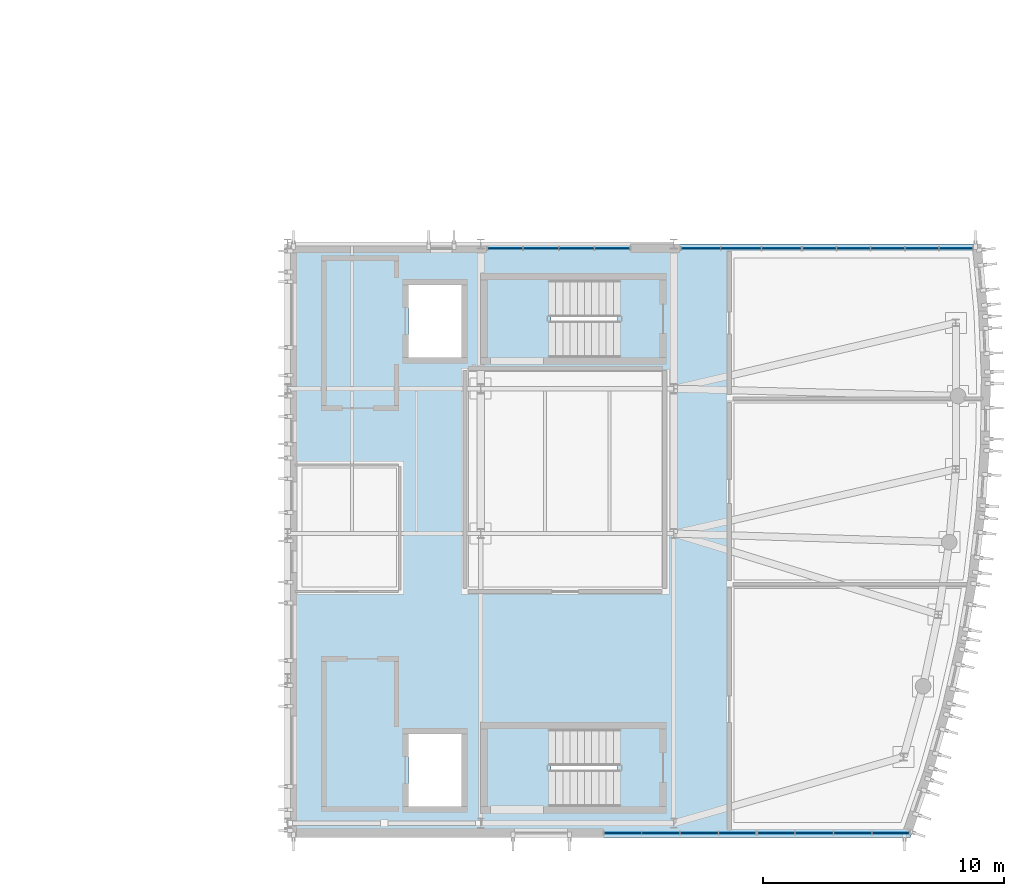
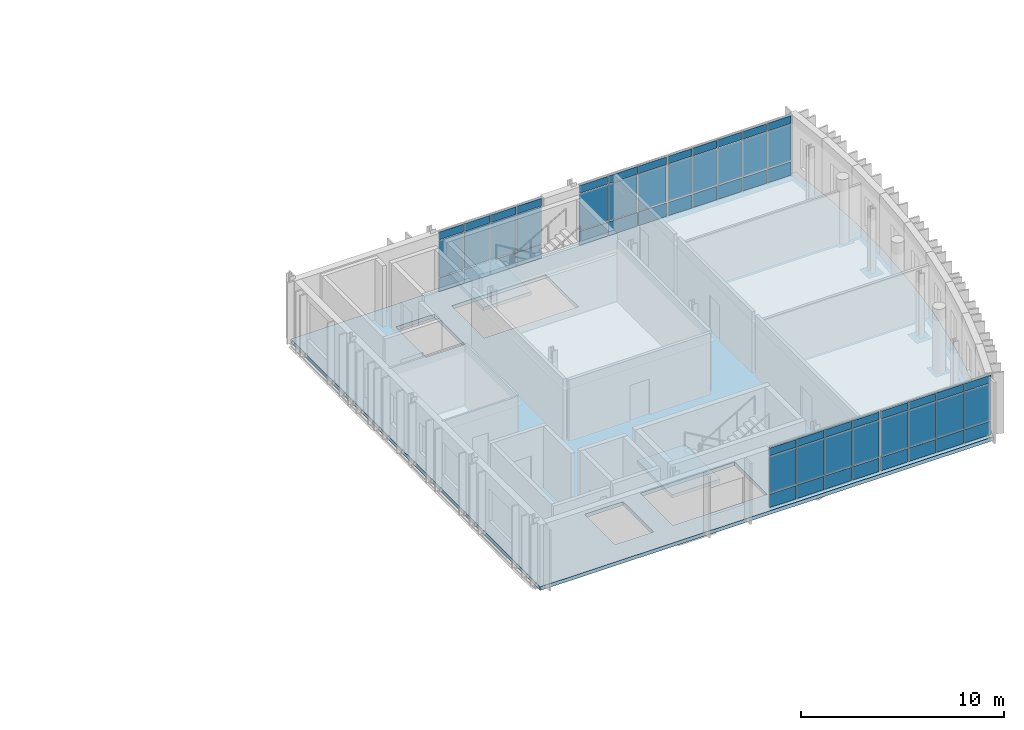
# One storey, part 15 of 28: 60 plates, 3 slabs, 7 elements without a shape of their own.
"""IFC4 building model written with IfcOpenShell, lengths in metres."""

import ifcopenshell
import ifcopenshell.guid

model = None  # the IFC model being written
_history = None  # IfcOwnerHistory: only IFC2X3 demands one
_inside = {}  # id of a spatial element -> (the spatial element, [elements in it])
_under = {}  # id of a project, library or spatial element -> (it, [spatial elements below it])
_declared = {}  # id of a project -> (the project, [libraries it declares])
_typed = {}  # id of a type object -> (the type object, [elements of that type])
_made_of = {}  # id of a material, layer set ... -> (it, [elements and type objects made of it])


def new_model(schema):
    """Start an empty IFC model of exactly this schema.

    Asked for "IFC4X3", IfcOpenShell would pick the latest addendum, in which some entities
    have other attributes; the version numbers below select the first issue.
    IFC2X3 requires an IfcOwnerHistory on every rooted entity: one is made here for all.
    """
    global model, _history
    if schema == "IFC4X3":
        model = ifcopenshell.file(schema_version=(4, 3, 0, 0))
    else:
        model = ifcopenshell.file(schema=schema)
    _inside.clear()
    _under.clear()
    _declared.clear()
    _typed.clear()
    _made_of.clear()
    _history = None
    if model.schema == "IFC2X3":
        org = make("IfcOrganization", Name="unknown")
        user = make(
            "IfcPersonAndOrganization",
            ThePerson=make("IfcPerson", FamilyName="unknown"),
            TheOrganization=org,
        )
        app = make(
            "IfcApplication",
            ApplicationDeveloper=org,
            Version="unknown",
            ApplicationFullName="unknown",
            ApplicationIdentifier="unknown",
        )
        _history = make(
            "IfcOwnerHistory",
            OwningUser=user,
            OwningApplication=app,
            ChangeAction="ADDED",
            CreationDate=0,
        )
    return model


def make(cls, **values):
    """One entity of the class cls with the attributes given. An attribute that is None is left unset."""
    return model.create_entity(
        cls, **{name: value for name, value in values.items() if value is not None}
    )


def rooted(cls, **values):
    """An entity with a GlobalId (a new one), such as an element, a storey or a relation."""
    return make(cls, GlobalId=ifcopenshell.guid.new(), OwnerHistory=_history, **values)


def si_unit(unit_type, name, prefix=None):
    """IfcSIUnit, for example si_unit("LENGTHUNIT", "METRE", prefix="MILLI")."""
    return make("IfcSIUnit", UnitType=unit_type, Prefix=prefix, Name=name)


def assignment(units):
    """IfcUnitAssignment: the units of a project."""
    return None if units is None else make("IfcUnitAssignment", Units=units)


def point(xyz):
    """IfcCartesianPoint."""
    return None if xyz is None else make("IfcCartesianPoint", Coordinates=xyz)


def direction(xyz):
    """IfcDirection."""
    return None if xyz is None else make("IfcDirection", DirectionRatios=xyz)


def frame(location, z_axis=None, x_axis=None):
    """IfcAxis2Placement3D, a coordinate frame: its origin and axes. An axis left out is left unset."""
    return make(
        "IfcAxis2Placement3D",
        Location=point(location),
        Axis=direction(z_axis),
        RefDirection=direction(x_axis),
    )


def frame_2d(location, x_axis=None):
    """IfcAxis2Placement2D, a coordinate frame in the plane: its origin and x axis."""
    return make(
        "IfcAxis2Placement2D", Location=point(location), RefDirection=direction(x_axis)
    )


def origin():
    """The frame at (0, 0, 0) with its axes left unset."""
    return frame((0.0, 0.0, 0.0))


def origin_2d():
    """The frame at (0, 0) in the plane with its x axis left unset."""
    return frame_2d((0.0, 0.0))


def place(relative_to, where):
    """IfcLocalPlacement: puts the frame where relative to a parent placement (None: the world)."""
    return make(
        "IfcLocalPlacement", PlacementRelTo=relative_to, RelativePlacement=where
    )


def context(
    kind, dimensions, precision=None, world=None, true_north=None, identifier=None
):
    """IfcGeometricRepresentationContext, for example the 3D "Model" context."""
    return make(
        "IfcGeometricRepresentationContext",
        ContextIdentifier=identifier,
        ContextType=kind,
        CoordinateSpaceDimension=dimensions,
        Precision=precision,
        WorldCoordinateSystem=world,
        TrueNorth=true_north,
    )


def subcontext(parent, identifier, kind, view, scale=None):
    """IfcGeometricRepresentationSubContext, for example "Body" below "Model"."""
    return make(
        "IfcGeometricRepresentationSubContext",
        ContextIdentifier=identifier,
        ContextType=kind,
        ParentContext=parent,
        TargetScale=scale,
        TargetView=view,
    )


def project(units=None, contexts=None):
    """IfcProject with its units and contexts."""
    return rooted(
        "IfcProject",
        Name="project",
        RepresentationContexts=contexts,
        UnitsInContext=assignment(units),
    )


def spatial(cls, under=None, at=None, **own):
    """A site, building, storey or space (cls), placed at a placement, below another one or the project."""
    s = rooted(cls, ObjectPlacement=at, **own)
    if under is not None:
        _under.setdefault(under.id(), (under, []))[1].append(s)
    return s


def polyline(points):
    """IfcPolyline through the points."""
    return make("IfcPolyline", Points=[point(p) for p in points])


def profile(cls, at=None, kind="AREA", **sizes):
    """A parametric profile (cls). Its sizes go by their IFC names, for example OverallWidth=200.0."""
    return make(cls, ProfileType=kind, Position=at, **sizes)


def rectangle(**sizes):
    """IfcRectangleProfileDef."""
    return profile("IfcRectangleProfileDef", **sizes)


def outline(outer, holes=None, kind="AREA"):
    """IfcArbitraryClosedProfileDef: a profile drawn as a closed curve; with holes, ...WithVoids."""
    if holes is None:
        return make("IfcArbitraryClosedProfileDef", ProfileType=kind, OuterCurve=outer)
    return make(
        "IfcArbitraryProfileDefWithVoids",
        ProfileType=kind,
        OuterCurve=outer,
        InnerCurves=holes,
    )


def extrude(swept, where, along, depth):
    """IfcExtrudedAreaSolid: the profile swept, set in the frame where, extruded along a direction by depth."""
    return make(
        "IfcExtrudedAreaSolid",
        SweptArea=swept,
        Position=where,
        ExtrudedDirection=direction(along),
        Depth=depth,
    )


def shape(context_of_items, identifier, shape_type, items):
    """IfcShapeRepresentation: the items that make up one representation, for example the "Body"."""
    return make(
        "IfcShapeRepresentation",
        ContextOfItems=context_of_items,
        RepresentationIdentifier=identifier,
        RepresentationType=shape_type,
        Items=items,
    )


def material(Name=None, Category=None):
    """IfcMaterial."""
    return make("IfcMaterial", Name=Name, Category=Category)


def layer(
    of_material, thickness, ventilated=None, Name=None, Category=None, Priority=None
):
    """IfcMaterialLayer: one layer of a wall or slab, of a material (None: an air gap)."""
    return make(
        "IfcMaterialLayer",
        Material=of_material,
        LayerThickness=thickness,
        IsVentilated=ventilated,
        Name=Name,
        Category=Category,
        Priority=Priority,
    )


def layer_set(layers, Name=None):
    """IfcMaterialLayerSet."""
    return make("IfcMaterialLayerSet", MaterialLayers=layers, LayerSetName=Name)


def made_of(thing, what):
    """Note that an element or type object is made of a material, layer set ...; save() writes the relation."""
    if what is not None:
        _made_of.setdefault(what.id(), (what, []))[1].append(thing)
    return thing


def type_object(cls, material=None, **own):
    """A type object (cls), such as IfcWallType, which elements share."""
    return made_of(rooted(cls, **own), material)


def element(
    cls,
    number,
    at=None,
    inside=None,
    cuts=None,
    type_object=None,
    material=None,
    context=None,
    identifier="Body",
    shape_type=None,
    held_by="IfcProductDefinitionShape",
    body=None,
    shapes=None,
    **own,
):
    """One element of the class cls, such as IfcWall. Its Tag is "e" and its number.

    at: its placement. inside: the storey or other place that contains it. cuts: it is an
    opening in that element (IfcRelVoidsElement). A single representation is given by context,
    identifier, shape_type and body (its items); several are given by shapes. held_by: the class
    of the entity that holds the representations. save() writes the other relations.
    """
    e = rooted(cls, Tag="e%d" % number, ObjectPlacement=at, **own)
    if body is not None:
        shapes = [shape(context, identifier, shape_type, body)]
    if shapes is not None:
        e.Representation = make(held_by, Representations=shapes)
    if inside is not None:
        _inside.setdefault(inside.id(), (inside, []))[1].append(e)
    if cuts is not None:
        rooted(
            "IfcRelVoidsElement", RelatingBuildingElement=cuts, RelatedOpeningElement=e
        )
    if type_object is not None:
        _typed.setdefault(type_object.id(), (type_object, []))[1].append(e)
    return made_of(e, material)


def aggregate(whole, parts):
    """IfcRelAggregates: a whole, such as a stair, and the parts it consists of."""
    return rooted("IfcRelAggregates", RelatingObject=whole, RelatedObjects=parts)


def save(model, path):
    """Write the relations noted so far, then the file.

    IfcRelAggregates (storeys below a building ...), IfcRelContainedInSpatialStructure (elements
    in a storey), IfcRelDefinesByType, IfcRelAssociatesMaterial and IfcRelDeclares: one each for
    every whole, place, type object, material and project.
    """
    for whole, parts in _under.values():
        aggregate(whole, parts)
    for where, things in _inside.values():
        rooted(
            "IfcRelContainedInSpatialStructure",
            RelatedElements=things,
            RelatingStructure=where,
        )
    for kind, things in _typed.values():
        rooted("IfcRelDefinesByType", RelatedObjects=things, RelatingType=kind)
    for what, things in _made_of.values():
        rooted("IfcRelAssociatesMaterial", RelatedObjects=things, RelatingMaterial=what)
    for by, libraries in _declared.values():
        rooted("IfcRelDeclares", RelatingContext=by, RelatedDefinitions=libraries)
    model.write(path)


model = new_model("IFC4")

# Units and contexts
model_context = context("Model", 3, precision=1e-05, world=origin(), true_north=direction((0.0, 1.0)))
body_context = subcontext(model_context, "Body", "Model", "MODEL_VIEW")
ifc_project = project(units=[si_unit("LENGTHUNIT", "METRE"), si_unit("AREAUNIT", "SQUARE_METRE"), si_unit("VOLUMEUNIT", "CUBIC_METRE"), si_unit("PLANEANGLEUNIT", "RADIAN"), si_unit("MASSUNIT", "GRAM", prefix="KILO")], contexts=[model_context])

# Site, building, storey
site_placement = place(None, origin())
site = spatial("IfcSite", under=ifc_project, at=site_placement, CompositionType="ELEMENT")
building_placement = place(site_placement, origin())
building = spatial("IfcBuilding", under=site, at=building_placement, Name="Cymarion Research Institute", CompositionType="ELEMENT")
storey_placement = place(building_placement, frame((0.0, 0.0, 30.60009765625)))
storey = spatial("IfcBuildingStorey", under=building, at=storey_placement, Name="L07", CompositionType="ELEMENT", Elevation=30.60009765625)

# Slab
ifc_material_1 = material(Name="Concrete C35/45", Category="concrete")
ifc_layer_1 = layer(ifc_material_1, 0.219970703125)
ifc_layer_set_1 = layer_set([ifc_layer_1], Name="Concrete C35/45")
slab_type_1 = type_object("IfcSlabType", Name="COMPOSITE FLOOR SLAB SL-FL220 220MM", PredefinedType="FLOOR", material=ifc_layer_set_1)
slab_1_placement = place(storey_placement, frame((0.0, 0.0, -0.22021484375)))
element("IfcSlab", 1, at=slab_1_placement, inside=storey, type_object=slab_type_1, Name="L07 V1 floor slab", PredefinedType="FLOOR", context=body_context, shape_type="SweptSolid", body=[
    extrude(outline(polyline([(138.60009765625, 4.89990234375), (164.39990234375, 4.89990234375), (165.30810546875, 7.526611328125), (166.07470703125, 10.197998046875), (166.697509765625, 12.906494140625), (167.1748046875, 15.64453125), (167.5048828125, 18.404052734375), (167.68701171875, 21.177490234375), (167.720947265625, 23.956298828125), (167.606201171875, 26.733154296875), (167.343505859375, 29.5), (138.60009765625, 29.5), (138.60009765625, 4.89990234375)]), holes=[polyline([(152.260009765625, 9.39990234375), (146.89990234375, 9.39990234375), (146.89990234375, 6.199951171875), (152.260009765625, 6.199951171875), (152.260009765625, 9.39990234375)]), polyline([(143.60009765625, 6.199951171875), (145.800048828125, 6.199951171875), (145.800048828125, 9.199951171875), (143.60009765625, 9.199951171875), (143.60009765625, 6.199951171875)]), polyline([(152.260009765625, 28.0), (146.89990234375, 28.0), (146.89990234375, 24.800048828125), (152.260009765625, 24.800048828125), (152.260009765625, 28.0)]), polyline([(143.60009765625, 24.800048828125), (145.800048828125, 24.800048828125), (145.800048828125, 27.800048828125), (143.60009765625, 27.800048828125), (143.60009765625, 24.800048828125)])]), origin(), (0.0, 0.0, 1.0), 0.22021484375),
])

# Curtain wall, plates
ifc_material_2 = material(Name="Anodised aluminium unitised curtain wall with Low-E glazing", Category="aluminium")
curtain_wall_type_1 = type_object("IfcCurtainWallType", Name="UNITISED CURTAIN WALL CW66 6360X3700", PredefinedType="NOTDEFINED", material=ifc_material_2)
curtain_wall_1_placement = place(storey_placement, origin())
curtain_wall_1 = element("IfcCurtainWall", 2, at=curtain_wall_1_placement, inside=storey, type_object=curtain_wall_type_1, Name="L07 V1 unitised curtain wall CW66 #230", PredefinedType="NOTDEFINED")
ifc_material_3 = material(Name="Insulated anodised aluminium spandrel panel", Category="aluminium")
ifc_layer_2 = layer(ifc_material_3, 0.06005859375)
ifc_layer_set_2 = layer_set([ifc_layer_2], Name="Insulated anodised aluminium spandrel panel")
plate_type_1 = type_object("IfcPlateType", Name="INSULATED ALUMINIUM SPANDREL PANEL SP01 60MM", PredefinedType="SHEET", material=ifc_layer_set_2)
plate_1_placement = place(storey_placement, frame((152.490966796875, 5.090087890625, 0.059814453125), z_axis=(0.0, 0.0, 1.0), x_axis=(1.0, 0.0, 0.0)))
plate_1 = element("IfcPlate", 3, at=plate_1_placement, type_object=plate_type_1, Name="CW66 panel 1.1", PredefinedType="SHEET", context=body_context, shape_type="SweptSolid", body=[
    extrude(rectangle(XDim=1.499755859375, YDim=0.06005859375, at=origin_2d()), origin(), (0.0, 0.0, 1.0), 0.81005859375),
])
plate_2_placement = place(storey_placement, frame((152.490966796875, 5.090087890625, 3.179931640625), z_axis=(0.0, 0.0, 1.0), x_axis=(1.0, 0.0, 0.0)))
plate_2 = element("IfcPlate", 4, at=plate_2_placement, type_object=plate_type_1, Name="CW66 panel 1.3", PredefinedType="SHEET", context=body_context, shape_type="SweptSolid", body=[
    extrude(rectangle(XDim=1.499755859375, YDim=0.06005859375, at=origin_2d()), origin(), (0.0, 0.0, 1.0), 0.4599609375),
])
plate_3_placement = place(storey_placement, frame((154.06591796875, 5.090087890625, 0.059814453125), z_axis=(0.0, 0.0, 1.0), x_axis=(1.0, 0.0, 0.0)))
plate_3 = element("IfcPlate", 5, at=plate_3_placement, type_object=plate_type_1, Name="CW66 panel 2.1", PredefinedType="SHEET", context=body_context, shape_type="SweptSolid", body=[
    extrude(rectangle(XDim=1.52978515625, YDim=0.06005859375, at=origin_2d()), origin(), (0.0, 0.0, 1.0), 0.81005859375),
])
plate_4_placement = place(storey_placement, frame((154.06591796875, 5.090087890625, 3.179931640625), z_axis=(0.0, 0.0, 1.0), x_axis=(1.0, 0.0, 0.0)))
plate_4 = element("IfcPlate", 6, at=plate_4_placement, type_object=plate_type_1, Name="CW66 panel 2.3", PredefinedType="SHEET", context=body_context, shape_type="SweptSolid", body=[
    extrude(rectangle(XDim=1.52978515625, YDim=0.06005859375, at=origin_2d()), origin(), (0.0, 0.0, 1.0), 0.4599609375),
])
plate_5_placement = place(storey_placement, frame((155.65576171875, 5.090087890625, 0.059814453125), z_axis=(0.0, 0.0, 1.0), x_axis=(1.0, 0.0, 0.0)))
plate_5 = element("IfcPlate", 7, at=plate_5_placement, type_object=plate_type_1, Name="CW66 panel 3.1", PredefinedType="SHEET", context=body_context, shape_type="SweptSolid", body=[
    extrude(rectangle(XDim=1.52978515625, YDim=0.06005859375, at=origin_2d()), origin(), (0.0, 0.0, 1.0), 0.81005859375),
])
plate_6_placement = place(storey_placement, frame((155.65576171875, 5.090087890625, 3.179931640625), z_axis=(0.0, 0.0, 1.0), x_axis=(1.0, 0.0, 0.0)))
plate_6 = element("IfcPlate", 8, at=plate_6_placement, type_object=plate_type_1, Name="CW66 panel 3.3", PredefinedType="SHEET", context=body_context, shape_type="SweptSolid", body=[
    extrude(rectangle(XDim=1.52978515625, YDim=0.06005859375, at=origin_2d()), origin(), (0.0, 0.0, 1.0), 0.4599609375),
])
plate_7_placement = place(storey_placement, frame((157.23046875, 5.090087890625, 0.059814453125), z_axis=(0.0, 0.0, 1.0), x_axis=(1.0, 0.0, 0.0)))
plate_7 = element("IfcPlate", 9, at=plate_7_placement, type_object=plate_type_1, Name="CW66 panel 4.1", PredefinedType="SHEET", context=body_context, shape_type="SweptSolid", body=[
    extrude(rectangle(XDim=1.499755859375, YDim=0.06005859375, at=origin_2d()), origin(), (0.0, 0.0, 1.0), 0.81005859375),
])
plate_8_placement = place(storey_placement, frame((157.23046875, 5.090087890625, 3.179931640625), z_axis=(0.0, 0.0, 1.0), x_axis=(1.0, 0.0, 0.0)))
plate_8 = element("IfcPlate", 10, at=plate_8_placement, type_object=plate_type_1, Name="CW66 panel 4.3", PredefinedType="SHEET", context=body_context, shape_type="SweptSolid", body=[
    extrude(rectangle(XDim=1.499755859375, YDim=0.06005859375, at=origin_2d()), origin(), (0.0, 0.0, 1.0), 0.4599609375),
])

curtain_wall_2_placement = place(storey_placement, origin())
curtain_wall_2 = element("IfcCurtainWall", 11, at=curtain_wall_2_placement, inside=storey, type_object=curtain_wall_type_1, Name="L07 V1 unitised curtain wall CW66 #231", PredefinedType="NOTDEFINED")
plate_9_placement = place(storey_placement, frame((158.850341796875, 5.090087890625, 0.059814453125), z_axis=(0.0, 0.0, 1.0), x_axis=(1.0, 0.0, 0.0)))
plate_9 = element("IfcPlate", 12, at=plate_9_placement, type_object=plate_type_1, Name="CW66 panel 1.1", PredefinedType="SHEET", context=body_context, shape_type="SweptSolid", body=[
    extrude(rectangle(XDim=1.499755859375, YDim=0.06005859375, at=origin_2d()), origin(), (0.0, 0.0, 1.0), 0.81005859375),
])
plate_10_placement = place(storey_placement, frame((158.850341796875, 5.090087890625, 3.179931640625), z_axis=(0.0, 0.0, 1.0), x_axis=(1.0, 0.0, 0.0)))
plate_10 = element("IfcPlate", 13, at=plate_10_placement, type_object=plate_type_1, Name="CW66 panel 1.3", PredefinedType="SHEET", context=body_context, shape_type="SweptSolid", body=[
    extrude(rectangle(XDim=1.499755859375, YDim=0.06005859375, at=origin_2d()), origin(), (0.0, 0.0, 1.0), 0.4599609375),
])
plate_11_placement = place(storey_placement, frame((160.42529296875, 5.090087890625, 0.059814453125), z_axis=(0.0, 0.0, 1.0), x_axis=(1.0, 0.0, 0.0)))
plate_11 = element("IfcPlate", 14, at=plate_11_placement, type_object=plate_type_1, Name="CW66 panel 2.1", PredefinedType="SHEET", context=body_context, shape_type="SweptSolid", body=[
    extrude(rectangle(XDim=1.52978515625, YDim=0.06005859375, at=origin_2d()), origin(), (0.0, 0.0, 1.0), 0.81005859375),
])
plate_12_placement = place(storey_placement, frame((160.42529296875, 5.090087890625, 3.179931640625), z_axis=(0.0, 0.0, 1.0), x_axis=(1.0, 0.0, 0.0)))
plate_12 = element("IfcPlate", 15, at=plate_12_placement, type_object=plate_type_1, Name="CW66 panel 2.3", PredefinedType="SHEET", context=body_context, shape_type="SweptSolid", body=[
    extrude(rectangle(XDim=1.52978515625, YDim=0.06005859375, at=origin_2d()), origin(), (0.0, 0.0, 1.0), 0.4599609375),
])
plate_13_placement = place(storey_placement, frame((162.01513671875, 5.090087890625, 0.059814453125), z_axis=(0.0, 0.0, 1.0), x_axis=(1.0, 0.0, 0.0)))
plate_13 = element("IfcPlate", 16, at=plate_13_placement, type_object=plate_type_1, Name="CW66 panel 3.1", PredefinedType="SHEET", context=body_context, shape_type="SweptSolid", body=[
    extrude(rectangle(XDim=1.52978515625, YDim=0.06005859375, at=origin_2d()), origin(), (0.0, 0.0, 1.0), 0.81005859375),
])
plate_14_placement = place(storey_placement, frame((162.01513671875, 5.090087890625, 3.179931640625), z_axis=(0.0, 0.0, 1.0), x_axis=(1.0, 0.0, 0.0)))
plate_14 = element("IfcPlate", 17, at=plate_14_placement, type_object=plate_type_1, Name="CW66 panel 3.3", PredefinedType="SHEET", context=body_context, shape_type="SweptSolid", body=[
    extrude(rectangle(XDim=1.52978515625, YDim=0.06005859375, at=origin_2d()), origin(), (0.0, 0.0, 1.0), 0.4599609375),
])
plate_15_placement = place(storey_placement, frame((163.590087890625, 5.090087890625, 0.059814453125), z_axis=(0.0, 0.0, 1.0), x_axis=(1.0, 0.0, 0.0)))
plate_15 = element("IfcPlate", 18, at=plate_15_placement, type_object=plate_type_1, Name="CW66 panel 4.1", PredefinedType="SHEET", context=body_context, shape_type="SweptSolid", body=[
    extrude(rectangle(XDim=1.499755859375, YDim=0.06005859375, at=origin_2d()), origin(), (0.0, 0.0, 1.0), 0.81005859375),
])
plate_16_placement = place(storey_placement, frame((163.590087890625, 5.090087890625, 3.179931640625), z_axis=(0.0, 0.0, 1.0), x_axis=(1.0, 0.0, 0.0)))
plate_16 = element("IfcPlate", 19, at=plate_16_placement, type_object=plate_type_1, Name="CW66 panel 4.3", PredefinedType="SHEET", context=body_context, shape_type="SweptSolid", body=[
    extrude(rectangle(XDim=1.499755859375, YDim=0.06005859375, at=origin_2d()), origin(), (0.0, 0.0, 1.0), 0.4599609375),
])

curtain_wall_type_2 = type_object("IfcCurtainWallType", Name="UNITISED CURTAIN WALL CW67 7100X3700", PredefinedType="NOTDEFINED", material=ifc_material_2)
curtain_wall_3_placement = place(storey_placement, origin())
curtain_wall_3 = element("IfcCurtainWall", 20, at=curtain_wall_3_placement, inside=storey, type_object=curtain_wall_type_2, Name="L07 V1 unitised curtain wall CW67 #232", PredefinedType="NOTDEFINED")
plate_17_placement = place(storey_placement, frame((166.29052734375, 29.31005859375, 0.059814453125), z_axis=(0.0, 0.0, 1.0), x_axis=(-1.0, 0.0, 0.0)))
plate_17 = element("IfcPlate", 21, at=plate_17_placement, type_object=plate_type_1, Name="CW67 panel 1.1", PredefinedType="SHEET", context=body_context, shape_type="SweptSolid", body=[
    extrude(rectangle(XDim=1.330810546875, YDim=0.06005859375, at=origin_2d()), origin(), (0.0, 0.0, 1.0), 0.81005859375),
])
plate_18_placement = place(storey_placement, frame((166.29052734375, 29.31005859375, 3.179931640625), z_axis=(0.0, 0.0, 1.0), x_axis=(-1.0, 0.0, 0.0)))
plate_18 = element("IfcPlate", 22, at=plate_18_placement, type_object=plate_type_1, Name="CW67 panel 1.3", PredefinedType="SHEET", context=body_context, shape_type="SweptSolid", body=[
    extrude(rectangle(XDim=1.330810546875, YDim=0.06005859375, at=origin_2d()), origin(), (0.0, 0.0, 1.0), 0.4599609375),
])
plate_19_placement = place(storey_placement, frame((164.884765625, 29.31005859375, 0.059814453125), z_axis=(0.0, 0.0, 1.0), x_axis=(-1.0, 0.0, 0.0)))
plate_19 = element("IfcPlate", 23, at=plate_19_placement, type_object=plate_type_1, Name="CW67 panel 2.1", PredefinedType="SHEET", context=body_context, shape_type="SweptSolid", body=[
    extrude(rectangle(XDim=1.36083984375, YDim=0.06005859375, at=origin_2d()), origin(), (0.0, 0.0, 1.0), 0.81005859375),
])
plate_20_placement = place(storey_placement, frame((164.884765625, 29.31005859375, 3.179931640625), z_axis=(0.0, 0.0, 1.0), x_axis=(-1.0, 0.0, 0.0)))
plate_20 = element("IfcPlate", 24, at=plate_20_placement, type_object=plate_type_1, Name="CW67 panel 2.3", PredefinedType="SHEET", context=body_context, shape_type="SweptSolid", body=[
    extrude(rectangle(XDim=1.36083984375, YDim=0.06005859375, at=origin_2d()), origin(), (0.0, 0.0, 1.0), 0.4599609375),
])
plate_21_placement = place(storey_placement, frame((163.4638671875, 29.31005859375, 0.059814453125), z_axis=(0.0, 0.0, 1.0), x_axis=(-1.0, 0.0, 0.0)))
plate_21 = element("IfcPlate", 25, at=plate_21_placement, type_object=plate_type_1, Name="CW67 panel 3.1", PredefinedType="SHEET", context=body_context, shape_type="SweptSolid", body=[
    extrude(rectangle(XDim=1.36083984375, YDim=0.06005859375, at=origin_2d()), origin(), (0.0, 0.0, 1.0), 0.81005859375),
])
plate_22_placement = place(storey_placement, frame((163.4638671875, 29.31005859375, 3.179931640625), z_axis=(0.0, 0.0, 1.0), x_axis=(-1.0, 0.0, 0.0)))
plate_22 = element("IfcPlate", 26, at=plate_22_placement, type_object=plate_type_1, Name="CW67 panel 3.3", PredefinedType="SHEET", context=body_context, shape_type="SweptSolid", body=[
    extrude(rectangle(XDim=1.36083984375, YDim=0.06005859375, at=origin_2d()), origin(), (0.0, 0.0, 1.0), 0.4599609375),
])
plate_23_placement = place(storey_placement, frame((162.043212890625, 29.31005859375, 0.059814453125), z_axis=(0.0, 0.0, 1.0), x_axis=(-1.0, 0.0, 0.0)))
plate_23 = element("IfcPlate", 27, at=plate_23_placement, type_object=plate_type_1, Name="CW67 panel 4.1", PredefinedType="SHEET", context=body_context, shape_type="SweptSolid", body=[
    extrude(rectangle(XDim=1.36083984375, YDim=0.06005859375, at=origin_2d()), origin(), (0.0, 0.0, 1.0), 0.81005859375),
])
plate_24_placement = place(storey_placement, frame((162.043212890625, 29.31005859375, 3.179931640625), z_axis=(0.0, 0.0, 1.0), x_axis=(-1.0, 0.0, 0.0)))
plate_24 = element("IfcPlate", 28, at=plate_24_placement, type_object=plate_type_1, Name="CW67 panel 4.3", PredefinedType="SHEET", context=body_context, shape_type="SweptSolid", body=[
    extrude(rectangle(XDim=1.36083984375, YDim=0.06005859375, at=origin_2d()), origin(), (0.0, 0.0, 1.0), 0.4599609375),
])
plate_25_placement = place(storey_placement, frame((160.63720703125, 29.31005859375, 0.059814453125), z_axis=(0.0, 0.0, 1.0), x_axis=(-1.0, 0.0, 0.0)))
plate_25 = element("IfcPlate", 29, at=plate_25_placement, type_object=plate_type_1, Name="CW67 panel 5.1", PredefinedType="SHEET", context=body_context, shape_type="SweptSolid", body=[
    extrude(rectangle(XDim=1.330810546875, YDim=0.06005859375, at=origin_2d()), origin(), (0.0, 0.0, 1.0), 0.81005859375),
])
plate_26_placement = place(storey_placement, frame((160.63720703125, 29.31005859375, 3.179931640625), z_axis=(0.0, 0.0, 1.0), x_axis=(-1.0, 0.0, 0.0)))
plate_26 = element("IfcPlate", 30, at=plate_26_placement, type_object=plate_type_1, Name="CW67 panel 5.3", PredefinedType="SHEET", context=body_context, shape_type="SweptSolid", body=[
    extrude(rectangle(XDim=1.330810546875, YDim=0.06005859375, at=origin_2d()), origin(), (0.0, 0.0, 1.0), 0.4599609375),
])

curtain_wall_type_3 = type_object("IfcCurtainWallType", Name="UNITISED CURTAIN WALL CW68 5050X3700", PredefinedType="NOTDEFINED", material=ifc_material_2)
curtain_wall_4_placement = place(storey_placement, origin())
curtain_wall_4 = element("IfcCurtainWall", 31, at=curtain_wall_4_placement, inside=storey, type_object=curtain_wall_type_3, Name="L07 V1 unitised curtain wall CW68 #233", PredefinedType="NOTDEFINED")
plate_27_placement = place(storey_placement, frame((159.054931640625, 29.31005859375, 0.059814453125), z_axis=(0.0, 0.0, 1.0), x_axis=(-1.0, 0.0, 0.0)))
plate_27 = element("IfcPlate", 32, at=plate_27_placement, type_object=plate_type_1, Name="CW68 panel 1.1", PredefinedType="SHEET", context=body_context, shape_type="SweptSolid", body=[
    extrude(rectangle(XDim=1.593994140625, YDim=0.06005859375, at=origin_2d()), origin(), (0.0, 0.0, 1.0), 0.81005859375),
])
plate_28_placement = place(storey_placement, frame((159.054931640625, 29.31005859375, 3.179931640625), z_axis=(0.0, 0.0, 1.0), x_axis=(-1.0, 0.0, 0.0)))
plate_28 = element("IfcPlate", 33, at=plate_28_placement, type_object=plate_type_1, Name="CW68 panel 1.3", PredefinedType="SHEET", context=body_context, shape_type="SweptSolid", body=[
    extrude(rectangle(XDim=1.593994140625, YDim=0.06005859375, at=origin_2d()), origin(), (0.0, 0.0, 1.0), 0.4599609375),
])
plate_29_placement = place(storey_placement, frame((157.385986328125, 29.31005859375, 0.059814453125), z_axis=(0.0, 0.0, 1.0), x_axis=(-1.0, 0.0, 0.0)))
plate_29 = element("IfcPlate", 34, at=plate_29_placement, type_object=plate_type_1, Name="CW68 panel 2.1", PredefinedType="SHEET", context=body_context, shape_type="SweptSolid", body=[
    extrude(rectangle(XDim=1.6240234375, YDim=0.06005859375, at=origin_2d()), origin(), (0.0, 0.0, 1.0), 0.81005859375),
])
plate_30_placement = place(storey_placement, frame((157.385986328125, 29.31005859375, 3.179931640625), z_axis=(0.0, 0.0, 1.0), x_axis=(-1.0, 0.0, 0.0)))
plate_30 = element("IfcPlate", 35, at=plate_30_placement, type_object=plate_type_1, Name="CW68 panel 2.3", PredefinedType="SHEET", context=body_context, shape_type="SweptSolid", body=[
    extrude(rectangle(XDim=1.6240234375, YDim=0.06005859375, at=origin_2d()), origin(), (0.0, 0.0, 1.0), 0.4599609375),
])
plate_31_placement = place(storey_placement, frame((155.717041015625, 29.31005859375, 0.059814453125), z_axis=(0.0, 0.0, 1.0), x_axis=(-1.0, 0.0, 0.0)))
plate_31 = element("IfcPlate", 36, at=plate_31_placement, type_object=plate_type_1, Name="CW68 panel 3.1", PredefinedType="SHEET", context=body_context, shape_type="SweptSolid", body=[
    extrude(rectangle(XDim=1.593994140625, YDim=0.06005859375, at=origin_2d()), origin(), (0.0, 0.0, 1.0), 0.81005859375),
])
plate_32_placement = place(storey_placement, frame((155.717041015625, 29.31005859375, 3.179931640625), z_axis=(0.0, 0.0, 1.0), x_axis=(-1.0, 0.0, 0.0)))
plate_32 = element("IfcPlate", 37, at=plate_32_placement, type_object=plate_type_1, Name="CW68 panel 3.3", PredefinedType="SHEET", context=body_context, shape_type="SweptSolid", body=[
    extrude(rectangle(XDim=1.593994140625, YDim=0.06005859375, at=origin_2d()), origin(), (0.0, 0.0, 1.0), 0.4599609375),
])

curtain_wall_type_4 = type_object("IfcCurtainWallType", Name="UNITISED CURTAIN WALL CW69 5950X3700", PredefinedType="NOTDEFINED", material=ifc_material_2)
curtain_wall_5_placement = place(storey_placement, origin())
curtain_wall_5 = element("IfcCurtainWall", 38, at=curtain_wall_5_placement, inside=storey, type_object=curtain_wall_type_4, Name="L07 V1 unitised curtain wall CW69 #234", PredefinedType="NOTDEFINED")
plate_33_placement = place(storey_placement, frame((152.04931640625, 29.31005859375, 0.059814453125), z_axis=(0.0, 0.0, 1.0), x_axis=(-1.0, 0.0, 0.0)))
plate_33 = element("IfcPlate", 39, at=plate_33_placement, type_object=plate_type_1, Name="CW69 panel 1.1", PredefinedType="SHEET", context=body_context, shape_type="SweptSolid", body=[
    extrude(rectangle(XDim=1.39697265625, YDim=0.06005859375, at=origin_2d()), origin(), (0.0, 0.0, 1.0), 0.81005859375),
])
plate_34_placement = place(storey_placement, frame((152.04931640625, 29.31005859375, 3.179931640625), z_axis=(0.0, 0.0, 1.0), x_axis=(-1.0, 0.0, 0.0)))
plate_34 = element("IfcPlate", 40, at=plate_34_placement, type_object=plate_type_1, Name="CW69 panel 1.3", PredefinedType="SHEET", context=body_context, shape_type="SweptSolid", body=[
    extrude(rectangle(XDim=1.39697265625, YDim=0.06005859375, at=origin_2d()), origin(), (0.0, 0.0, 1.0), 0.4599609375),
])
plate_35_placement = place(storey_placement, frame((150.577392578125, 29.31005859375, 0.059814453125), z_axis=(0.0, 0.0, 1.0), x_axis=(-1.0, 0.0, 0.0)))
plate_35 = element("IfcPlate", 41, at=plate_35_placement, type_object=plate_type_1, Name="CW69 panel 2.1", PredefinedType="SHEET", context=body_context, shape_type="SweptSolid", body=[
    extrude(rectangle(XDim=1.427001953125, YDim=0.06005859375, at=origin_2d()), origin(), (0.0, 0.0, 1.0), 0.81005859375),
])
plate_36_placement = place(storey_placement, frame((150.577392578125, 29.31005859375, 3.179931640625), z_axis=(0.0, 0.0, 1.0), x_axis=(-1.0, 0.0, 0.0)))
plate_36 = element("IfcPlate", 42, at=plate_36_placement, type_object=plate_type_1, Name="CW69 panel 2.3", PredefinedType="SHEET", context=body_context, shape_type="SweptSolid", body=[
    extrude(rectangle(XDim=1.427001953125, YDim=0.06005859375, at=origin_2d()), origin(), (0.0, 0.0, 1.0), 0.4599609375),
])
plate_37_placement = place(storey_placement, frame((149.090576171875, 29.31005859375, 0.059814453125), z_axis=(0.0, 0.0, 1.0), x_axis=(-1.0, 0.0, 0.0)))
plate_37 = element("IfcPlate", 43, at=plate_37_placement, type_object=plate_type_1, Name="CW69 panel 3.1", PredefinedType="SHEET", context=body_context, shape_type="SweptSolid", body=[
    extrude(rectangle(XDim=1.427001953125, YDim=0.06005859375, at=origin_2d()), origin(), (0.0, 0.0, 1.0), 0.81005859375),
])
plate_38_placement = place(storey_placement, frame((149.090576171875, 29.31005859375, 3.179931640625), z_axis=(0.0, 0.0, 1.0), x_axis=(-1.0, 0.0, 0.0)))
plate_38 = element("IfcPlate", 44, at=plate_38_placement, type_object=plate_type_1, Name="CW69 panel 3.3", PredefinedType="SHEET", context=body_context, shape_type="SweptSolid", body=[
    extrude(rectangle(XDim=1.427001953125, YDim=0.06005859375, at=origin_2d()), origin(), (0.0, 0.0, 1.0), 0.4599609375),
])
plate_39_placement = place(storey_placement, frame((147.618408203125, 29.31005859375, 0.059814453125), z_axis=(0.0, 0.0, 1.0), x_axis=(-1.0, 0.0, 0.0)))
plate_39 = element("IfcPlate", 45, at=plate_39_placement, type_object=plate_type_1, Name="CW69 panel 4.1", PredefinedType="SHEET", context=body_context, shape_type="SweptSolid", body=[
    extrude(rectangle(XDim=1.39697265625, YDim=0.06005859375, at=origin_2d()), origin(), (0.0, 0.0, 1.0), 0.81005859375),
])
plate_40_placement = place(storey_placement, frame((147.618408203125, 29.31005859375, 3.179931640625), z_axis=(0.0, 0.0, 1.0), x_axis=(-1.0, 0.0, 0.0)))
plate_40 = element("IfcPlate", 46, at=plate_40_placement, type_object=plate_type_1, Name="CW69 panel 4.3", PredefinedType="SHEET", context=body_context, shape_type="SweptSolid", body=[
    extrude(rectangle(XDim=1.39697265625, YDim=0.06005859375, at=origin_2d()), origin(), (0.0, 0.0, 1.0), 0.4599609375),
])

# Stair, slab
stair_type = type_object("IfcStairType", Name="REINFORCED CONCRETE DOGLEG STAIR STR-3900", PredefinedType="HALF_TURN_STAIR", material=ifc_material_1)
stair_1_placement = place(storey_placement, origin())
stair_1 = element("IfcStair", 47, at=stair_1_placement, inside=storey, type_object=stair_type, Name="L07 Core C1 Smoke-Proof Exit Stair ST1", PredefinedType="HALF_TURN_STAIR")
ifc_layer_3 = layer(ifc_material_1, 0.199951171875)
ifc_layer_set_3 = layer_set([ifc_layer_3], Name="Concrete C35/45")
slab_type_2 = type_object("IfcSlabType", Name="REINFORCED CONCRETE STAIR LANDING LDG200", PredefinedType="LANDING", material=ifc_layer_set_3)
slab_2_placement = place(storey_placement, frame((0.0, 0.0, 1.75)))
slab_2 = element("IfcSlab", 48, at=slab_2_placement, type_object=slab_type_2, Name="ST1 landing 1", PredefinedType="LANDING", context=body_context, shape_type="SweptSolid", body=[
    extrude(outline(polyline([(149.52001953125, 9.52001953125), (149.52001953125, 6.080078125), (146.780029296875, 6.080078125), (146.780029296875, 9.52001953125), (149.52001953125, 9.52001953125)])), origin(), (0.0, 0.0, 1.0), 0.199951171875),
])
aggregate(stair_1, [slab_2])

stair_2_placement = place(storey_placement, origin())
stair_2 = element("IfcStair", 49, at=stair_2_placement, inside=storey, type_object=stair_type, Name="L07 Core C2 Smoke-Proof Exit Stair ST2", PredefinedType="HALF_TURN_STAIR")
slab_3_placement = place(storey_placement, frame((0.0, 0.0, 1.75)))
slab_3 = element("IfcSlab", 50, at=slab_3_placement, type_object=slab_type_2, Name="ST2 landing 1", PredefinedType="LANDING", context=body_context, shape_type="SweptSolid", body=[
    extrude(outline(polyline([(149.52001953125, 28.1201171875), (149.52001953125, 24.679931640625), (146.780029296875, 24.679931640625), (146.780029296875, 28.1201171875), (149.52001953125, 28.1201171875)])), origin(), (0.0, 0.0, 1.0), 0.199951171875),
])
aggregate(stair_2, [slab_3])

# Plate
ifc_material_4 = material(Name="Low-E double solar-control glazing", Category="glass")
ifc_layer_4 = layer(ifc_material_4, 0.035888671875)
ifc_layer_set_4 = layer_set([ifc_layer_4], Name="Low-E double solar-control glazing")
plate_type_2 = type_object("IfcPlateType", Name="SOLAR CONTROL GLAZED VISION PANEL GP01 36MM", PredefinedType="CURTAIN_PANEL", material=ifc_layer_set_4)
plate_41_placement = place(storey_placement, frame((152.490966796875, 5.090087890625, 0.929931640625), z_axis=(0.0, 0.0, 1.0), x_axis=(1.0, 0.0, 0.0)))
plate_41 = element("IfcPlate", 51, at=plate_41_placement, type_object=plate_type_2, Name="CW66 panel 1.2", PredefinedType="CURTAIN_PANEL", context=body_context, shape_type="SweptSolid", body=[
    extrude(rectangle(XDim=1.499755859375, YDim=0.035888671875, at=origin_2d()), origin(), (0.0, 0.0, 1.0), 2.18994140625),
])

plate_42_placement = place(storey_placement, frame((154.06591796875, 5.090087890625, 0.929931640625), z_axis=(0.0, 0.0, 1.0), x_axis=(1.0, 0.0, 0.0)))
plate_42 = element("IfcPlate", 52, at=plate_42_placement, type_object=plate_type_2, Name="CW66 panel 2.2", PredefinedType="CURTAIN_PANEL", context=body_context, shape_type="SweptSolid", body=[
    extrude(rectangle(XDim=1.52978515625, YDim=0.035888671875, at=origin_2d()), origin(), (0.0, 0.0, 1.0), 2.18994140625),
])

plate_43_placement = place(storey_placement, frame((155.65576171875, 5.090087890625, 0.929931640625), z_axis=(0.0, 0.0, 1.0), x_axis=(1.0, 0.0, 0.0)))
plate_43 = element("IfcPlate", 53, at=plate_43_placement, type_object=plate_type_2, Name="CW66 panel 3.2", PredefinedType="CURTAIN_PANEL", context=body_context, shape_type="SweptSolid", body=[
    extrude(rectangle(XDim=1.52978515625, YDim=0.035888671875, at=origin_2d()), origin(), (0.0, 0.0, 1.0), 2.18994140625),
])

plate_44_placement = place(storey_placement, frame((157.23046875, 5.090087890625, 0.929931640625), z_axis=(0.0, 0.0, 1.0), x_axis=(1.0, 0.0, 0.0)))
plate_44 = element("IfcPlate", 54, at=plate_44_placement, type_object=plate_type_2, Name="CW66 panel 4.2", PredefinedType="CURTAIN_PANEL", context=body_context, shape_type="SweptSolid", body=[
    extrude(rectangle(XDim=1.499755859375, YDim=0.035888671875, at=origin_2d()), origin(), (0.0, 0.0, 1.0), 2.18994140625),
])

aggregate(curtain_wall_1, [plate_1, plate_41, plate_2, plate_3, plate_42, plate_4, plate_5, plate_43, plate_6, plate_7, plate_44, plate_8])

plate_45_placement = place(storey_placement, frame((158.850341796875, 5.090087890625, 0.929931640625), z_axis=(0.0, 0.0, 1.0), x_axis=(1.0, 0.0, 0.0)))
plate_45 = element("IfcPlate", 55, at=plate_45_placement, type_object=plate_type_2, Name="CW66 panel 1.2", PredefinedType="CURTAIN_PANEL", context=body_context, shape_type="SweptSolid", body=[
    extrude(rectangle(XDim=1.499755859375, YDim=0.035888671875, at=origin_2d()), origin(), (0.0, 0.0, 1.0), 2.18994140625),
])

plate_46_placement = place(storey_placement, frame((160.42529296875, 5.090087890625, 0.929931640625), z_axis=(0.0, 0.0, 1.0), x_axis=(1.0, 0.0, 0.0)))
plate_46 = element("IfcPlate", 56, at=plate_46_placement, type_object=plate_type_2, Name="CW66 panel 2.2", PredefinedType="CURTAIN_PANEL", context=body_context, shape_type="SweptSolid", body=[
    extrude(rectangle(XDim=1.52978515625, YDim=0.035888671875, at=origin_2d()), origin(), (0.0, 0.0, 1.0), 2.18994140625),
])

plate_47_placement = place(storey_placement, frame((162.01513671875, 5.090087890625, 0.929931640625), z_axis=(0.0, 0.0, 1.0), x_axis=(1.0, 0.0, 0.0)))
plate_47 = element("IfcPlate", 57, at=plate_47_placement, type_object=plate_type_2, Name="CW66 panel 3.2", PredefinedType="CURTAIN_PANEL", context=body_context, shape_type="SweptSolid", body=[
    extrude(rectangle(XDim=1.52978515625, YDim=0.035888671875, at=origin_2d()), origin(), (0.0, 0.0, 1.0), 2.18994140625),
])

plate_48_placement = place(storey_placement, frame((163.590087890625, 5.090087890625, 0.929931640625), z_axis=(0.0, 0.0, 1.0), x_axis=(1.0, 0.0, 0.0)))
plate_48 = element("IfcPlate", 58, at=plate_48_placement, type_object=plate_type_2, Name="CW66 panel 4.2", PredefinedType="CURTAIN_PANEL", context=body_context, shape_type="SweptSolid", body=[
    extrude(rectangle(XDim=1.499755859375, YDim=0.035888671875, at=origin_2d()), origin(), (0.0, 0.0, 1.0), 2.18994140625),
])

aggregate(curtain_wall_2, [plate_9, plate_45, plate_10, plate_11, plate_46, plate_12, plate_13, plate_47, plate_14, plate_15, plate_48, plate_16])

plate_49_placement = place(storey_placement, frame((166.29052734375, 29.31005859375, 0.929931640625), z_axis=(0.0, 0.0, 1.0), x_axis=(-1.0, 0.0, 0.0)))
plate_49 = element("IfcPlate", 59, at=plate_49_placement, type_object=plate_type_2, Name="CW67 panel 1.2", PredefinedType="CURTAIN_PANEL", context=body_context, shape_type="SweptSolid", body=[
    extrude(rectangle(XDim=1.330810546875, YDim=0.035888671875, at=origin_2d()), origin(), (0.0, 0.0, 1.0), 2.18994140625),
])

plate_50_placement = place(storey_placement, frame((164.884765625, 29.31005859375, 0.929931640625), z_axis=(0.0, 0.0, 1.0), x_axis=(-1.0, 0.0, 0.0)))
plate_50 = element("IfcPlate", 60, at=plate_50_placement, type_object=plate_type_2, Name="CW67 panel 2.2", PredefinedType="CURTAIN_PANEL", context=body_context, shape_type="SweptSolid", body=[
    extrude(rectangle(XDim=1.36083984375, YDim=0.035888671875, at=origin_2d()), origin(), (0.0, 0.0, 1.0), 2.18994140625),
])

plate_51_placement = place(storey_placement, frame((163.4638671875, 29.31005859375, 0.929931640625), z_axis=(0.0, 0.0, 1.0), x_axis=(-1.0, 0.0, 0.0)))
plate_51 = element("IfcPlate", 61, at=plate_51_placement, type_object=plate_type_2, Name="CW67 panel 3.2", PredefinedType="CURTAIN_PANEL", context=body_context, shape_type="SweptSolid", body=[
    extrude(rectangle(XDim=1.36083984375, YDim=0.035888671875, at=origin_2d()), origin(), (0.0, 0.0, 1.0), 2.18994140625),
])

plate_52_placement = place(storey_placement, frame((162.043212890625, 29.31005859375, 0.929931640625), z_axis=(0.0, 0.0, 1.0), x_axis=(-1.0, 0.0, 0.0)))
plate_52 = element("IfcPlate", 62, at=plate_52_placement, type_object=plate_type_2, Name="CW67 panel 4.2", PredefinedType="CURTAIN_PANEL", context=body_context, shape_type="SweptSolid", body=[
    extrude(rectangle(XDim=1.36083984375, YDim=0.035888671875, at=origin_2d()), origin(), (0.0, 0.0, 1.0), 2.18994140625),
])

plate_53_placement = place(storey_placement, frame((160.63720703125, 29.31005859375, 0.929931640625), z_axis=(0.0, 0.0, 1.0), x_axis=(-1.0, 0.0, 0.0)))
plate_53 = element("IfcPlate", 63, at=plate_53_placement, type_object=plate_type_2, Name="CW67 panel 5.2", PredefinedType="CURTAIN_PANEL", context=body_context, shape_type="SweptSolid", body=[
    extrude(rectangle(XDim=1.330810546875, YDim=0.035888671875, at=origin_2d()), origin(), (0.0, 0.0, 1.0), 2.18994140625),
])

aggregate(curtain_wall_3, [plate_17, plate_49, plate_18, plate_19, plate_50, plate_20, plate_21, plate_51, plate_22, plate_23, plate_52, plate_24, plate_25, plate_53, plate_26])

plate_54_placement = place(storey_placement, frame((159.054931640625, 29.31005859375, 0.929931640625), z_axis=(0.0, 0.0, 1.0), x_axis=(-1.0, 0.0, 0.0)))
plate_54 = element("IfcPlate", 64, at=plate_54_placement, type_object=plate_type_2, Name="CW68 panel 1.2", PredefinedType="CURTAIN_PANEL", context=body_context, shape_type="SweptSolid", body=[
    extrude(rectangle(XDim=1.593994140625, YDim=0.035888671875, at=origin_2d()), origin(), (0.0, 0.0, 1.0), 2.18994140625),
])

plate_55_placement = place(storey_placement, frame((157.385986328125, 29.31005859375, 0.929931640625), z_axis=(0.0, 0.0, 1.0), x_axis=(-1.0, 0.0, 0.0)))
plate_55 = element("IfcPlate", 65, at=plate_55_placement, type_object=plate_type_2, Name="CW68 panel 2.2", PredefinedType="CURTAIN_PANEL", context=body_context, shape_type="SweptSolid", body=[
    extrude(rectangle(XDim=1.6240234375, YDim=0.035888671875, at=origin_2d()), origin(), (0.0, 0.0, 1.0), 2.18994140625),
])

plate_56_placement = place(storey_placement, frame((155.717041015625, 29.31005859375, 0.929931640625), z_axis=(0.0, 0.0, 1.0), x_axis=(-1.0, 0.0, 0.0)))
plate_56 = element("IfcPlate", 66, at=plate_56_placement, type_object=plate_type_2, Name="CW68 panel 3.2", PredefinedType="CURTAIN_PANEL", context=body_context, shape_type="SweptSolid", body=[
    extrude(rectangle(XDim=1.593994140625, YDim=0.035888671875, at=origin_2d()), origin(), (0.0, 0.0, 1.0), 2.18994140625),
])

aggregate(curtain_wall_4, [plate_27, plate_54, plate_28, plate_29, plate_55, plate_30, plate_31, plate_56, plate_32])

plate_57_placement = place(storey_placement, frame((152.04931640625, 29.31005859375, 0.929931640625), z_axis=(0.0, 0.0, 1.0), x_axis=(-1.0, 0.0, 0.0)))
plate_57 = element("IfcPlate", 67, at=plate_57_placement, type_object=plate_type_2, Name="CW69 panel 1.2", PredefinedType="CURTAIN_PANEL", context=body_context, shape_type="SweptSolid", body=[
    extrude(rectangle(XDim=1.39697265625, YDim=0.035888671875, at=origin_2d()), origin(), (0.0, 0.0, 1.0), 2.18994140625),
])

plate_58_placement = place(storey_placement, frame((150.577392578125, 29.31005859375, 0.929931640625), z_axis=(0.0, 0.0, 1.0), x_axis=(-1.0, 0.0, 0.0)))
plate_58 = element("IfcPlate", 68, at=plate_58_placement, type_object=plate_type_2, Name="CW69 panel 2.2", PredefinedType="CURTAIN_PANEL", context=body_context, shape_type="SweptSolid", body=[
    extrude(rectangle(XDim=1.427001953125, YDim=0.035888671875, at=origin_2d()), origin(), (0.0, 0.0, 1.0), 2.18994140625),
])

plate_59_placement = place(storey_placement, frame((149.090576171875, 29.31005859375, 0.929931640625), z_axis=(0.0, 0.0, 1.0), x_axis=(-1.0, 0.0, 0.0)))
plate_59 = element("IfcPlate", 69, at=plate_59_placement, type_object=plate_type_2, Name="CW69 panel 3.2", PredefinedType="CURTAIN_PANEL", context=body_context, shape_type="SweptSolid", body=[
    extrude(rectangle(XDim=1.427001953125, YDim=0.035888671875, at=origin_2d()), origin(), (0.0, 0.0, 1.0), 2.18994140625),
])

plate_60_placement = place(storey_placement, frame((147.618408203125, 29.31005859375, 0.929931640625), z_axis=(0.0, 0.0, 1.0), x_axis=(-1.0, 0.0, 0.0)))
plate_60 = element("IfcPlate", 70, at=plate_60_placement, type_object=plate_type_2, Name="CW69 panel 4.2", PredefinedType="CURTAIN_PANEL", context=body_context, shape_type="SweptSolid", body=[
    extrude(rectangle(XDim=1.39697265625, YDim=0.035888671875, at=origin_2d()), origin(), (0.0, 0.0, 1.0), 2.18994140625),
])

aggregate(curtain_wall_5, [plate_33, plate_57, plate_34, plate_35, plate_58, plate_36, plate_37, plate_59, plate_38, plate_39, plate_60, plate_40])

save(model, "model.ifc")
